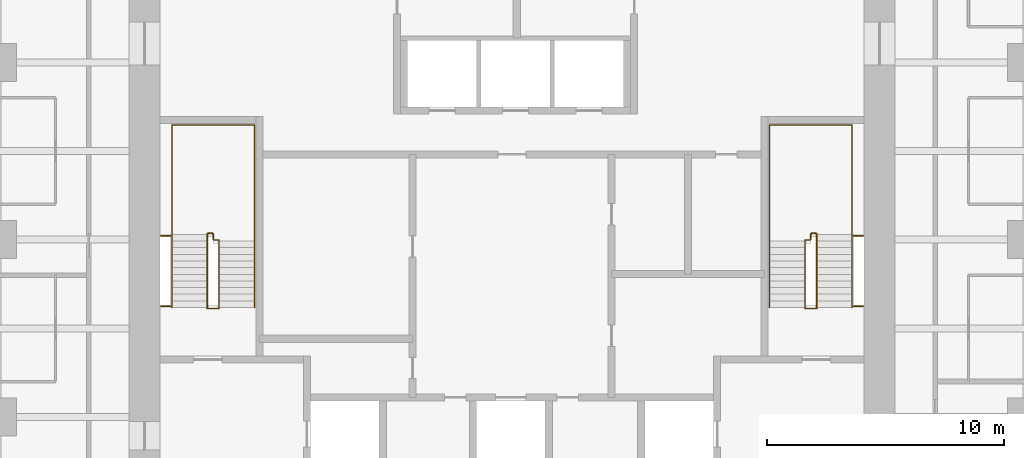
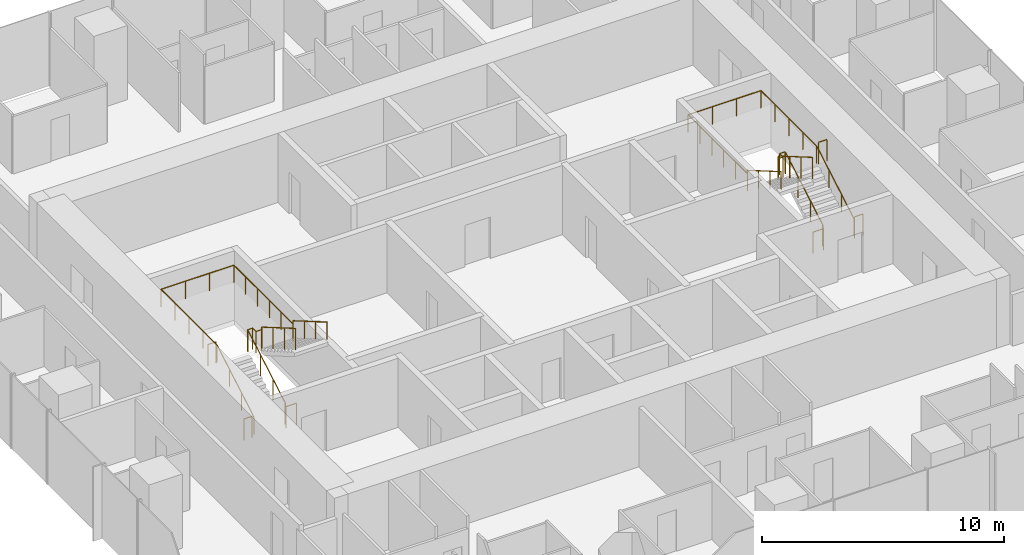
# One storey, part 12 of 12: 8 railings.
"""IFC4 building model written with IfcOpenShell, lengths in metres."""

from ifc_helpers import new_model, si_unit, direction, frame, origin, origin_2d, place, context, subcontext, project, spatial, circle, extrude, material, type_object, element, save


model = new_model("IFC4")

# Units and contexts
model_context = context("Model", 3, precision=1e-05, world=origin(), true_north=direction((0.0, 1.0)))
body_context = subcontext(model_context, "Body", "Model", "MODEL_VIEW")
ifc_project = project(units=[si_unit("LENGTHUNIT", "METRE"), si_unit("AREAUNIT", "SQUARE_METRE"), si_unit("VOLUMEUNIT", "CUBIC_METRE"), si_unit("PLANEANGLEUNIT", "RADIAN"), si_unit("MASSUNIT", "GRAM", prefix="KILO")], contexts=[model_context])

# Site, building, storey
site_placement = place(None, origin())
site = spatial("IfcSite", under=ifc_project, at=site_placement, CompositionType="ELEMENT")
building_placement = place(site_placement, origin())
building = spatial("IfcBuilding", under=site, at=building_placement, Name="Khuree Lantern Residences", CompositionType="ELEMENT")
storey_placement = place(building_placement, frame((0.0, 0.0, 327.0)))
storey = spatial("IfcBuildingStorey", under=building, at=storey_placement, Name="L82", CompositionType="ELEMENT", Elevation=327.0)

# Railings
ifc_material = material(Name="Steel S355", Category="steel")
railing_type_1 = type_object("IfcRailingType", Name="STAIR GUARD G1 1100", PredefinedType="GUARDRAIL", material=ifc_material)
railing_1_placement = place(storey_placement, frame((-12.35009765625, -2.909912109375, 0.0)))
element("IfcRailing", 1, at=railing_1_placement, inside=storey, type_object=railing_type_1, Name="Stair ST1 guard", PredefinedType="GUARDRAIL", context=body_context, shape_type="SweptSolid", body=[
    extrude(circle(Radius=0.02392578125, at=origin_2d()), frame((0.0, 0.0, 1.076171875), z_axis=(-1.0, 0.0, 0.0), x_axis=(0.0, -1.0, 0.0)), (0.0, 0.0, 1.0), 0.5),
    extrude(circle(Radius=0.02392578125, at=origin_2d()), frame((-0.5, 0.0, 1.076171875), z_axis=(0.0, 0.292073035251, 0.95639601739), x_axis=(-1.0, 0.0, 0.0)), (0.0, 0.0, 1.0), 0.17041015625),
    extrude(circle(Radius=0.02392578125, at=origin_2d()), frame((-0.5, 0.0498046875, 1.2392578125), z_axis=(0.0, 0.864176135923, 0.503189433615), x_axis=(-1.0, 0.0, 0.0)), (0.0, 0.0, 1.0), 3.564208984375),
    extrude(circle(Radius=0.02392578125, at=origin_2d()), frame((-0.5, 3.1298828125, 3.03271484375), z_axis=(0.0, 1.0, 0.0), x_axis=(-1.0, 0.0, 0.0)), (0.0, 0.0, 1.0), 0.050048828125),
    extrude(circle(Radius=0.02392578125, at=origin_2d()), frame((-0.5, 3.179931640625, 3.03271484375), z_axis=(1.0, 0.0, 0.0), x_axis=(0.0, 1.0, 0.0)), (0.0, 0.0, 1.0), 0.25),
    extrude(circle(Radius=0.02392578125, at=origin_2d()), frame((-0.25, 3.179931640625, 3.03271484375), z_axis=(0.0, -1.0, 0.0), x_axis=(1.0, 0.0, 0.0)), (0.0, 0.0, 1.0), 0.280029296875),
    extrude(circle(Radius=0.02392578125, at=origin_2d()), frame((-0.25, 2.89990234375, 3.03271484375), z_axis=(1.0, 0.0, 0.0), x_axis=(0.0, 1.0, 0.0)), (0.0, 0.0, 1.0), 0.25),
    extrude(circle(Radius=0.02392578125, at=origin_2d()), frame((0.0, 2.89990234375, 3.03271484375), z_axis=(0.0, -0.293381807449, 0.955995353053), x_axis=(1.0, 0.0, 0.0)), (0.0, 0.0, 1.0), 0.170654296875),
    extrude(circle(Radius=0.02392578125, at=origin_2d()), frame((0.0, 2.849853515625, 3.19580078125), z_axis=(0.0, -0.864180358799, 0.503182181189), x_axis=(1.0, 0.0, 0.0)), (0.0, 0.0, 1.0), 3.240234375),
    extrude(circle(Radius=0.02099609375, at=origin_2d()), origin(), (0.0, 0.0, 1.0), 1.052001953125),
    extrude(circle(Radius=0.02099609375, at=origin_2d()), frame((-0.5, 0.0, 0.0)), (0.0, 0.0, 1.0), 1.052001953125),
    extrude(circle(Radius=0.02099609375, at=origin_2d()), frame((-0.5, 0.0498046875, 0.1630859375)), (0.0, 0.0, 1.0), 1.052001953125),
    extrude(circle(Radius=0.02099609375, at=origin_2d()), frame((-0.5, 1.076416015625, 0.760986328125)), (0.0, 0.0, 1.0), 1.052001953125),
    extrude(circle(Radius=0.02099609375, at=origin_2d()), frame((-0.5, 2.103271484375, 1.358642578125)), (0.0, 0.0, 1.0), 1.052001953125),
    extrude(circle(Radius=0.02099609375, at=origin_2d()), frame((-0.5, 3.1298828125, 1.95654296875)), (0.0, 0.0, 1.0), 1.052001953125),
    extrude(circle(Radius=0.02099609375, at=origin_2d()), frame((-0.5, 3.179931640625, 1.95654296875)), (0.0, 0.0, 1.0), 1.052001953125),
    extrude(circle(Radius=0.02099609375, at=origin_2d()), frame((-0.25, 3.179931640625, 1.95654296875)), (0.0, 0.0, 1.0), 1.052001953125),
    extrude(circle(Radius=0.02099609375, at=origin_2d()), frame((-0.25, 2.89990234375, 1.95654296875)), (0.0, 0.0, 1.0), 1.052001953125),
    extrude(circle(Radius=0.02099609375, at=origin_2d()), frame((0.0, 2.89990234375, 1.95654296875)), (0.0, 0.0, 1.0), 1.052001953125),
    extrude(circle(Radius=0.02099609375, at=origin_2d()), frame((0.0, 2.849853515625, 2.11962890625)), (0.0, 0.0, 1.0), 1.052001953125),
    extrude(circle(Radius=0.02099609375, at=origin_2d()), frame((0.0, 1.91650390625, 2.6630859375)), (0.0, 0.0, 1.0), 1.052001953125),
    extrude(circle(Radius=0.02099609375, at=origin_2d()), frame((0.0, 0.983154296875, 3.20654296875)), (0.0, 0.0, 1.0), 1.052001953125),
    extrude(circle(Radius=0.02099609375, at=origin_2d()), frame((0.0, 0.0498046875, 3.75)), (0.0, 0.0, 1.0), 1.052001953125),
])
for number, where, name in (
    (2, (-14.800048828125, -2.81005859375, 0.0), "Stair ST1 landing slot guard"),
    (3, (-14.800048828125, 0.169921875, 1.95654296875), "Stair ST1 landing slot guard"),
):
    element("IfcRailing", number, at=place(storey_placement, frame(where)), inside=storey, type_object=railing_type_1, Name=name, PredefinedType="GUARDRAIL", context=body_context, shape_type="SweptSolid", body=[
        extrude(circle(Radius=0.02392578125, at=origin_2d()), frame((0.0, 0.0, 1.076171875), z_axis=(1.0, 0.0, 0.0), x_axis=(0.0, 1.0, 0.0)), (0.0, 0.0, 1.0), 0.400146484375),
        extrude(circle(Radius=0.02099609375, at=origin_2d()), origin(), (0.0, 0.0, 1.0), 1.052001953125),
        extrude(circle(Radius=0.02099609375, at=origin_2d()), frame((0.400146484375, 0.0, 0.0)), (0.0, 0.0, 1.0), 1.052001953125),
    ])
railing_2_placement = place(storey_placement, frame((12.35009765625, -2.909912109375, 0.0)))
element("IfcRailing", 4, at=railing_2_placement, inside=storey, type_object=railing_type_1, Name="Stair ST2 guard", PredefinedType="GUARDRAIL", context=body_context, shape_type="SweptSolid", body=[
    extrude(circle(Radius=0.02392578125, at=origin_2d()), frame((0.0, 0.0, 1.076171875), z_axis=(1.0, 0.0, 0.0), x_axis=(0.0, 1.0, 0.0)), (0.0, 0.0, 1.0), 0.5),
    extrude(circle(Radius=0.02392578125, at=origin_2d()), frame((0.5, 0.0, 1.076171875), z_axis=(0.0, 0.292073035251, 0.95639601739), x_axis=(-1.0, 0.0, 0.0)), (0.0, 0.0, 1.0), 0.17041015625),
    extrude(circle(Radius=0.02392578125, at=origin_2d()), frame((0.5, 0.0498046875, 1.2392578125), z_axis=(0.0, 0.864176135923, 0.503189433615), x_axis=(-1.0, 0.0, 0.0)), (0.0, 0.0, 1.0), 3.564208984375),
    extrude(circle(Radius=0.02392578125, at=origin_2d()), frame((0.5, 3.1298828125, 3.03271484375), z_axis=(0.0, 1.0, 0.0), x_axis=(-1.0, 0.0, 0.0)), (0.0, 0.0, 1.0), 0.050048828125),
    extrude(circle(Radius=0.02392578125, at=origin_2d()), frame((0.5, 3.179931640625, 3.03271484375), z_axis=(-1.0, 0.0, 0.0), x_axis=(0.0, -1.0, 0.0)), (0.0, 0.0, 1.0), 0.25),
    extrude(circle(Radius=0.02392578125, at=origin_2d()), frame((0.25, 3.179931640625, 3.03271484375), z_axis=(0.0, -1.0, 0.0), x_axis=(1.0, 0.0, 0.0)), (0.0, 0.0, 1.0), 0.280029296875),
    extrude(circle(Radius=0.02392578125, at=origin_2d()), frame((0.25, 2.89990234375, 3.03271484375), z_axis=(-1.0, 0.0, 0.0), x_axis=(0.0, -1.0, 0.0)), (0.0, 0.0, 1.0), 0.25),
    extrude(circle(Radius=0.02392578125, at=origin_2d()), frame((0.0, 2.89990234375, 3.03271484375), z_axis=(0.0, -0.293381807449, 0.955995353053), x_axis=(1.0, 0.0, 0.0)), (0.0, 0.0, 1.0), 0.170654296875),
    extrude(circle(Radius=0.02392578125, at=origin_2d()), frame((0.0, 2.849853515625, 3.19580078125), z_axis=(0.0, -0.864180358799, 0.503182181189), x_axis=(1.0, 0.0, 0.0)), (0.0, 0.0, 1.0), 3.240234375),
    extrude(circle(Radius=0.02099609375, at=origin_2d()), origin(), (0.0, 0.0, 1.0), 1.052001953125),
    extrude(circle(Radius=0.02099609375, at=origin_2d()), frame((0.5, 0.0, 0.0)), (0.0, 0.0, 1.0), 1.052001953125),
    extrude(circle(Radius=0.02099609375, at=origin_2d()), frame((0.5, 0.0498046875, 0.1630859375)), (0.0, 0.0, 1.0), 1.052001953125),
    extrude(circle(Radius=0.02099609375, at=origin_2d()), frame((0.5, 1.076416015625, 0.760986328125)), (0.0, 0.0, 1.0), 1.052001953125),
    extrude(circle(Radius=0.02099609375, at=origin_2d()), frame((0.5, 2.103271484375, 1.358642578125)), (0.0, 0.0, 1.0), 1.052001953125),
    extrude(circle(Radius=0.02099609375, at=origin_2d()), frame((0.5, 3.1298828125, 1.95654296875)), (0.0, 0.0, 1.0), 1.052001953125),
    extrude(circle(Radius=0.02099609375, at=origin_2d()), frame((0.5, 3.179931640625, 1.95654296875)), (0.0, 0.0, 1.0), 1.052001953125),
    extrude(circle(Radius=0.02099609375, at=origin_2d()), frame((0.25, 3.179931640625, 1.95654296875)), (0.0, 0.0, 1.0), 1.052001953125),
    extrude(circle(Radius=0.02099609375, at=origin_2d()), frame((0.25, 2.89990234375, 1.95654296875)), (0.0, 0.0, 1.0), 1.052001953125),
    extrude(circle(Radius=0.02099609375, at=origin_2d()), frame((0.0, 2.89990234375, 1.95654296875)), (0.0, 0.0, 1.0), 1.052001953125),
    extrude(circle(Radius=0.02099609375, at=origin_2d()), frame((0.0, 2.849853515625, 2.11962890625)), (0.0, 0.0, 1.0), 1.052001953125),
    extrude(circle(Radius=0.02099609375, at=origin_2d()), frame((0.0, 1.91650390625, 2.6630859375)), (0.0, 0.0, 1.0), 1.052001953125),
    extrude(circle(Radius=0.02099609375, at=origin_2d()), frame((0.0, 0.983154296875, 3.20654296875)), (0.0, 0.0, 1.0), 1.052001953125),
    extrude(circle(Radius=0.02099609375, at=origin_2d()), frame((0.0, 0.0498046875, 3.75)), (0.0, 0.0, 1.0), 1.052001953125),
])
for number, where, name in (
    (5, (14.800048828125, -2.81005859375, 0.0), "Stair ST2 landing slot guard"),
    (6, (14.800048828125, 0.169921875, 1.95654296875), "Stair ST2 landing slot guard"),
):
    element("IfcRailing", number, at=place(storey_placement, frame(where)), inside=storey, type_object=railing_type_1, Name=name, PredefinedType="GUARDRAIL", context=body_context, shape_type="SweptSolid", body=[
        extrude(circle(Radius=0.02392578125, at=origin_2d()), frame((0.0, 0.0, 1.076171875), z_axis=(-1.0, 0.0, 0.0), x_axis=(0.0, -1.0, 0.0)), (0.0, 0.0, 1.0), 0.400146484375),
        extrude(circle(Radius=0.02099609375, at=origin_2d()), origin(), (0.0, 0.0, 1.0), 1.052001953125),
        extrude(circle(Radius=0.02099609375, at=origin_2d()), frame((-0.400146484375, 0.0, 0.0)), (0.0, 0.0, 1.0), 1.052001953125),
    ])
railing_type_2 = type_object("IfcRailingType", Name="STAIR HANDRAIL H1 900", PredefinedType="HANDRAIL", material=ifc_material)
railing_3_placement = place(storey_placement, frame((-14.340087890625, -2.860107421875, 0.1630859375)))
element("IfcRailing", 7, at=railing_3_placement, inside=storey, type_object=railing_type_2, Name="Stair ST1 handrail", PredefinedType="HANDRAIL", context=body_context, shape_type="SweptSolid", body=[
    extrude(circle(Radius=0.02392578125, at=origin_2d()), frame((0.0, 0.0, 0.8759765625), z_axis=(0.0, 0.864176135923, 0.503189433615), x_axis=(-1.0, 0.0, 0.0)), (0.0, 0.0, 1.0), 3.564208984375),
    extrude(circle(Radius=0.02392578125, at=origin_2d()), frame((0.0, 3.080078125, 2.66943359375), z_axis=(0.0, 1.0, 0.0), x_axis=(-1.0, 0.0, 0.0)), (0.0, 0.0, 1.0), 4.6201171875),
    extrude(circle(Radius=0.02392578125, at=origin_2d()), frame((0.0, 7.7001953125, 2.66943359375), z_axis=(1.0, 0.0, 0.0), x_axis=(0.0, 1.0, 0.0)), (0.0, 0.0, 1.0), 3.47998046875),
    extrude(circle(Radius=0.02392578125, at=origin_2d()), frame((3.47998046875, 7.7001953125, 2.66943359375), z_axis=(0.0, -1.0, 0.0), x_axis=(1.0, 0.0, 0.0)), (0.0, 0.0, 1.0), 4.900146484375),
    extrude(circle(Radius=0.02392578125, at=origin_2d()), frame((3.47998046875, 2.800048828125, 2.66943359375), z_axis=(0.0, 0.0, 1.0), x_axis=(1.0, 0.0, 0.0)), (0.0, 0.0, 1.0), 0.1630859375),
    extrude(circle(Radius=0.02392578125, at=origin_2d()), frame((3.47998046875, 2.800048828125, 2.83251953125), z_axis=(0.0, -0.864180358799, 0.503182181189), x_axis=(1.0, 0.0, 0.0)), (0.0, 0.0, 1.0), 3.240234375),
    extrude(circle(Radius=0.02099609375, at=origin_2d()), origin(), (0.0, 0.0, 1.0), 0.851806640625),
    extrude(circle(Radius=0.02099609375, at=origin_2d()), frame((0.0, 1.026611328125, 0.597900390625)), (0.0, 0.0, 1.0), 0.851806640625),
    extrude(circle(Radius=0.02099609375, at=origin_2d()), frame((0.0, 2.053466796875, 1.195556640625)), (0.0, 0.0, 1.0), 0.851806640625),
    extrude(circle(Radius=0.02099609375, at=origin_2d()), frame((0.0, 3.080078125, 1.79345703125)), (0.0, 0.0, 1.0), 0.851806640625),
    extrude(circle(Radius=0.02099609375, at=origin_2d()), frame((0.0, 4.235107421875, 1.79345703125)), (0.0, 0.0, 1.0), 0.851806640625),
    extrude(circle(Radius=0.02099609375, at=origin_2d()), frame((0.0, 5.39013671875, 1.79345703125)), (0.0, 0.0, 1.0), 0.851806640625),
    extrude(circle(Radius=0.02099609375, at=origin_2d()), frame((0.0, 6.545166015625, 1.79345703125)), (0.0, 0.0, 1.0), 0.851806640625),
    extrude(circle(Radius=0.02099609375, at=origin_2d()), frame((0.0, 7.7001953125, 1.79345703125)), (0.0, 0.0, 1.0), 0.851806640625),
    extrude(circle(Radius=0.02099609375, at=origin_2d()), frame((1.159912109375, 7.7001953125, 1.79345703125)), (0.0, 0.0, 1.0), 0.851806640625),
    extrude(circle(Radius=0.02099609375, at=origin_2d()), frame((2.320068359375, 7.7001953125, 1.79345703125)), (0.0, 0.0, 1.0), 0.851806640625),
    extrude(circle(Radius=0.02099609375, at=origin_2d()), frame((3.47998046875, 7.7001953125, 1.79345703125)), (0.0, 0.0, 1.0), 0.851806640625),
    extrude(circle(Radius=0.02099609375, at=origin_2d()), frame((3.47998046875, 6.72021484375, 1.79345703125)), (0.0, 0.0, 1.0), 0.851806640625),
    extrude(circle(Radius=0.02099609375, at=origin_2d()), frame((3.47998046875, 5.740234375, 1.79345703125)), (0.0, 0.0, 1.0), 0.851806640625),
    extrude(circle(Radius=0.02099609375, at=origin_2d()), frame((3.47998046875, 4.760009765625, 1.79345703125)), (0.0, 0.0, 1.0), 0.851806640625),
    extrude(circle(Radius=0.02099609375, at=origin_2d()), frame((3.47998046875, 3.780029296875, 1.79345703125)), (0.0, 0.0, 1.0), 0.851806640625),
    extrude(circle(Radius=0.02099609375, at=origin_2d()), frame((3.47998046875, 2.800048828125, 1.79345703125)), (0.0, 0.0, 1.0), 0.851806640625),
    extrude(circle(Radius=0.02099609375, at=origin_2d()), frame((3.47998046875, 2.800048828125, 1.95654296875)), (0.0, 0.0, 1.0), 0.851806640625),
    extrude(circle(Radius=0.02099609375, at=origin_2d()), frame((3.47998046875, 1.86669921875, 2.5)), (0.0, 0.0, 1.0), 0.851806640625),
    extrude(circle(Radius=0.02099609375, at=origin_2d()), frame((3.47998046875, 0.933349609375, 3.04345703125)), (0.0, 0.0, 1.0), 0.851806640625),
    extrude(circle(Radius=0.02099609375, at=origin_2d()), frame((3.47998046875, 0.0, 3.5869140625)), (0.0, 0.0, 1.0), 0.851806640625),
])
railing_4_placement = place(storey_placement, frame((14.340087890625, -2.860107421875, 0.1630859375)))
element("IfcRailing", 8, at=railing_4_placement, inside=storey, type_object=railing_type_2, Name="Stair ST2 handrail", PredefinedType="HANDRAIL", context=body_context, shape_type="SweptSolid", body=[
    extrude(circle(Radius=0.02392578125, at=origin_2d()), frame((0.0, 0.0, 0.8759765625), z_axis=(0.0, 0.864176135923, 0.503189433615), x_axis=(-1.0, 0.0, 0.0)), (0.0, 0.0, 1.0), 3.564208984375),
    extrude(circle(Radius=0.02392578125, at=origin_2d()), frame((0.0, 3.080078125, 2.66943359375), z_axis=(0.0, 1.0, 0.0), x_axis=(-1.0, 0.0, 0.0)), (0.0, 0.0, 1.0), 4.6201171875),
    extrude(circle(Radius=0.02392578125, at=origin_2d()), frame((0.0, 7.7001953125, 2.66943359375), z_axis=(-1.0, 0.0, 0.0), x_axis=(0.0, -1.0, 0.0)), (0.0, 0.0, 1.0), 3.47998046875),
    extrude(circle(Radius=0.02392578125, at=origin_2d()), frame((-3.47998046875, 7.7001953125, 2.66943359375), z_axis=(0.0, -1.0, 0.0), x_axis=(1.0, 0.0, 0.0)), (0.0, 0.0, 1.0), 4.900146484375),
    extrude(circle(Radius=0.02392578125, at=origin_2d()), frame((-3.47998046875, 2.800048828125, 2.66943359375), z_axis=(0.0, 0.0, 1.0), x_axis=(1.0, 0.0, 0.0)), (0.0, 0.0, 1.0), 0.1630859375),
    extrude(circle(Radius=0.02392578125, at=origin_2d()), frame((-3.47998046875, 2.800048828125, 2.83251953125), z_axis=(0.0, -0.864180358799, 0.503182181189), x_axis=(1.0, 0.0, 0.0)), (0.0, 0.0, 1.0), 3.240234375),
    extrude(circle(Radius=0.02099609375, at=origin_2d()), origin(), (0.0, 0.0, 1.0), 0.851806640625),
    extrude(circle(Radius=0.02099609375, at=origin_2d()), frame((0.0, 1.026611328125, 0.597900390625)), (0.0, 0.0, 1.0), 0.851806640625),
    extrude(circle(Radius=0.02099609375, at=origin_2d()), frame((0.0, 2.053466796875, 1.195556640625)), (0.0, 0.0, 1.0), 0.851806640625),
    extrude(circle(Radius=0.02099609375, at=origin_2d()), frame((0.0, 3.080078125, 1.79345703125)), (0.0, 0.0, 1.0), 0.851806640625),
    extrude(circle(Radius=0.02099609375, at=origin_2d()), frame((0.0, 4.235107421875, 1.79345703125)), (0.0, 0.0, 1.0), 0.851806640625),
    extrude(circle(Radius=0.02099609375, at=origin_2d()), frame((0.0, 5.39013671875, 1.79345703125)), (0.0, 0.0, 1.0), 0.851806640625),
    extrude(circle(Radius=0.02099609375, at=origin_2d()), frame((0.0, 6.545166015625, 1.79345703125)), (0.0, 0.0, 1.0), 0.851806640625),
    extrude(circle(Radius=0.02099609375, at=origin_2d()), frame((0.0, 7.7001953125, 1.79345703125)), (0.0, 0.0, 1.0), 0.851806640625),
    extrude(circle(Radius=0.02099609375, at=origin_2d()), frame((-1.159912109375, 7.7001953125, 1.79345703125)), (0.0, 0.0, 1.0), 0.851806640625),
    extrude(circle(Radius=0.02099609375, at=origin_2d()), frame((-2.320068359375, 7.7001953125, 1.79345703125)), (0.0, 0.0, 1.0), 0.851806640625),
    extrude(circle(Radius=0.02099609375, at=origin_2d()), frame((-3.47998046875, 7.7001953125, 1.79345703125)), (0.0, 0.0, 1.0), 0.851806640625),
    extrude(circle(Radius=0.02099609375, at=origin_2d()), frame((-3.47998046875, 6.72021484375, 1.79345703125)), (0.0, 0.0, 1.0), 0.851806640625),
    extrude(circle(Radius=0.02099609375, at=origin_2d()), frame((-3.47998046875, 5.740234375, 1.79345703125)), (0.0, 0.0, 1.0), 0.851806640625),
    extrude(circle(Radius=0.02099609375, at=origin_2d()), frame((-3.47998046875, 4.760009765625, 1.79345703125)), (0.0, 0.0, 1.0), 0.851806640625),
    extrude(circle(Radius=0.02099609375, at=origin_2d()), frame((-3.47998046875, 3.780029296875, 1.79345703125)), (0.0, 0.0, 1.0), 0.851806640625),
    extrude(circle(Radius=0.02099609375, at=origin_2d()), frame((-3.47998046875, 2.800048828125, 1.79345703125)), (0.0, 0.0, 1.0), 0.851806640625),
    extrude(circle(Radius=0.02099609375, at=origin_2d()), frame((-3.47998046875, 2.800048828125, 1.95654296875)), (0.0, 0.0, 1.0), 0.851806640625),
    extrude(circle(Radius=0.02099609375, at=origin_2d()), frame((-3.47998046875, 1.86669921875, 2.5)), (0.0, 0.0, 1.0), 0.851806640625),
    extrude(circle(Radius=0.02099609375, at=origin_2d()), frame((-3.47998046875, 0.933349609375, 3.04345703125)), (0.0, 0.0, 1.0), 0.851806640625),
    extrude(circle(Radius=0.02099609375, at=origin_2d()), frame((-3.47998046875, 0.0, 3.5869140625)), (0.0, 0.0, 1.0), 0.851806640625),
])

save(model, "model.ifc")
